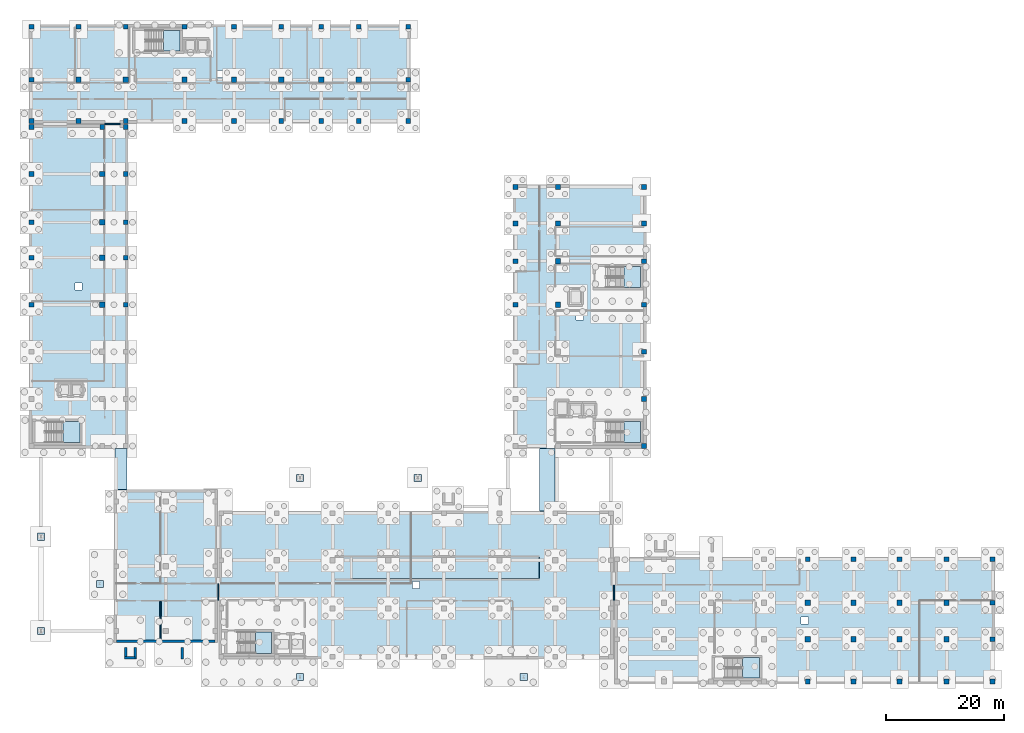
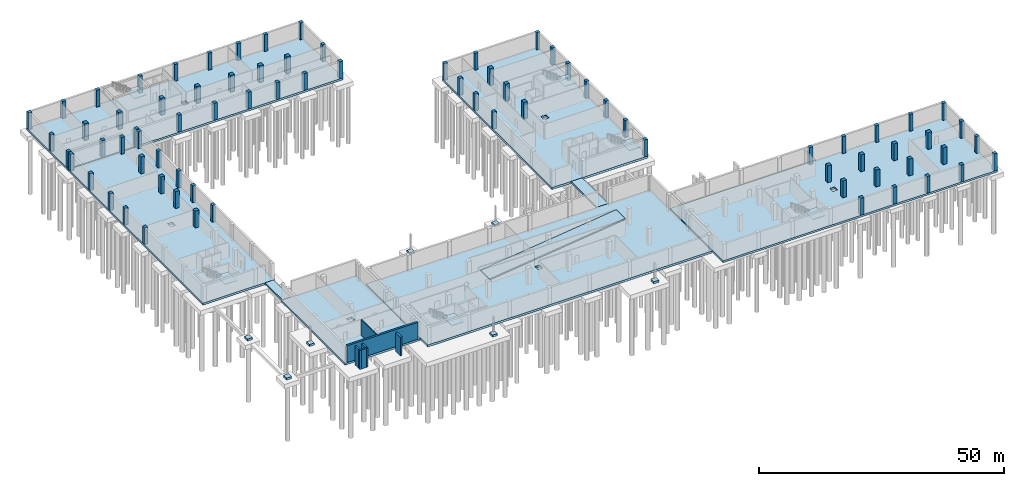
# One storey, part 14 of 31: 77 columns, 25 slabs, 6 walls, 6 elements without a shape of their own.
"""IFC4 building model written with IfcOpenShell, lengths in metres."""

from ifc_helpers import new_model, si_unit, direction, frame, frame_2d, origin, origin_2d, place, context, subcontext, project, spatial, polyline, rectangle, outline, extrude, material, layer, layer_set, material_profile, profile_set, type_object, element, aggregate, save


model = new_model("IFC4")

# Units and contexts
model_context = context("Model", 3, precision=1e-05, world=origin(), true_north=direction((0.0, 1.0)))
body_context = subcontext(model_context, "Body", "Model", "MODEL_VIEW")
ifc_project = project(units=[si_unit("LENGTHUNIT", "METRE"), si_unit("AREAUNIT", "SQUARE_METRE"), si_unit("VOLUMEUNIT", "CUBIC_METRE"), si_unit("PLANEANGLEUNIT", "RADIAN"), si_unit("MASSUNIT", "GRAM", prefix="KILO")], contexts=[model_context])

# Site, building, storey
site_placement = place(None, origin())
site = spatial("IfcSite", under=ifc_project, at=site_placement, CompositionType="ELEMENT")
building_placement = place(site_placement, origin())
building = spatial("IfcBuilding", under=site, at=building_placement, Name="Qalavern Law Courts", CompositionType="ELEMENT")
storey_placement = place(building_placement, frame((0.0, 0.0, -8.39990234375)))
storey = spatial("IfcBuildingStorey", under=building, at=storey_placement, Name="B2", CompositionType="ELEMENT", Elevation=-8.39990234375)

# Columns
ifc_material_1 = material(Name="Concrete C45/55", Category="concrete")
ifc_material_profile_1 = material_profile(ifc_material_1, rectangle(XDim=0.800048828125, YDim=0.800048828125, at=origin_2d()), Name="RC 800x800")
ifc_profile_set_1 = profile_set([ifc_material_profile_1], Name="Concrete C45/55")
column_type_1 = type_object("IfcColumnType", Name="STR-COL-RC800E", PredefinedType="COLUMN", material=ifc_profile_set_1)
for number, where, z_axis, x_axis, name in (
    (1, (2.39990234375, 65.39990234375, 0.0), (0.0, 0.0, 1.0), (1.0, 0.0, 0.0), "V3 column 1-4 B2"),
    (2, (2.39990234375, 73.39990234375, 0.0), (0.0, 0.0, 1.0), (1.0, 0.0, 0.0), "V3 column 1-5 B2"),
    (3, (2.39990234375, 79.39990234375, 0.0), (0.0, 0.0, 1.0), (1.0, 0.0, 0.0), "V3 column 1-6 B2"),
    (4, (2.39990234375, 87.60009765625, 0.0), (0.0, 0.0, 1.0), (1.0, 0.0, 0.0), "V3 column 1-7 B2"),
    (5, (2.39990234375, 95.580078125, 0.0), (0.0, 0.0, 1.0), (1.0, 0.0, 0.0), "V3 column 1-8 B2"),
    (6, (14.39990234375, 95.580078125, 0.0), (0.0, 0.0, 1.0), (1.0, 0.0, 0.0), "V3 column 2-8 B2"),
    (7, (18.39990234375, 65.39990234375, 0.0), (0.0, 0.0, 1.0), (1.0, 0.0, 0.0), "V3 column 3-4 B2"),
    (8, (18.39990234375, 73.39990234375, 0.0), (0.0, 0.0, 1.0), (1.0, 0.0, 0.0), "V3 column 3-5 B2"),
    (9, (18.39990234375, 79.39990234375, 0.0), (0.0, 0.0, 1.0), (1.0, 0.0, 0.0), "V3 column 3-6 B2"),
    (10, (18.39990234375, 87.60009765625, 0.0), (0.0, 0.0, 1.0), (1.0, 0.0, 0.0), "V3 column 3-7 B2"),
    (11, (18.39990234375, 95.580078125, 0.0), (0.0, 0.0, 1.0), (1.0, 0.0, 0.0), "V3 column 3-8 B2"),
    (12, (84.60009765625, 65.39990234375, 0.0), (0.0, 0.0, 1.0), (1.0, 0.0, 0.0), "V4 column 1-4 B2"),
    (13, (84.60009765625, 72.800048828125, 0.0), (0.0, 0.0, 1.0), (1.0, 0.0, 0.0), "V4 column 1-5 B2"),
    (14, (84.60009765625, 79.199951171875, 0.0), (0.0, 0.0, 1.0), (1.0, 0.0, 0.0), "V4 column 1-6 B2"),
    (15, (84.60009765625, 85.39990234375, 0.0), (0.0, 0.0, 1.0), (1.0, 0.0, 0.0), "V4 column 1-7 B2"),
    (16, (91.800048828125, 85.39990234375, 0.0), (0.0, 0.0, 1.0), (1.0, 0.0, 0.0), "V4 column 2-7 B2"),
    (17, (106.39990234375, 41.419921875, 0.0), (0.0, 0.0, 1.0), (1.0, 0.0, 0.0), "V4 column 3-1 B2"),
    (18, (106.39990234375, 49.39990234375, 0.0), (0.0, 0.0, 1.0), (1.0, 0.0, 0.0), "V4 column 3-2 B2"),
    (19, (106.39990234375, 57.39990234375, 0.0), (0.0, 0.0, 1.0), (1.0, 0.0, 0.0), "V4 column 3-3 B2"),
    (20, (106.39990234375, 65.39990234375, 0.0), (0.0, 0.0, 1.0), (1.0, 0.0, 0.0), "V4 column 3-4 B2"),
    (21, (106.39990234375, 72.800048828125, 0.0), (0.0, 0.0, 1.0), (1.0, 0.0, 0.0), "V4 column 3-5 B2"),
    (22, (106.39990234375, 79.199951171875, 0.0), (0.0, 0.0, 1.0), (1.0, 0.0, 0.0), "V4 column 3-6 B2"),
    (23, (106.39990234375, 85.39990234375, 0.0), (0.0, 0.0, 1.0), (1.0, 0.0, 0.0), "V4 column 3-7 B2"),
    (24, (2.39990234375, 96.60009765625, 0.0), (0.0, 0.0, 1.0), (1.0, 0.0, 0.0), "V5 column 1-1 B2"),
    (25, (2.39990234375, 103.60009765625, 0.0), (0.0, 0.0, 1.0), (1.0, 0.0, 0.0), "V5 column 1-2 B2"),
    (26, (2.39990234375, 112.60009765625, 0.0), (0.0, 0.0, 1.0), (1.0, 0.0, 0.0), "V5 column 1-3 B2"),
    (27, (10.39990234375, 96.60009765625, 0.0), (0.0, 0.0, 1.0), (1.0, 0.0, 0.0), "V5 column 2-1 B2"),
    (28, (10.39990234375, 112.60009765625, 0.0), (0.0, 0.0, 1.0), (1.0, 0.0, 0.0), "V5 column 2-3 B2"),
    (29, (18.39990234375, 96.60009765625, 0.0), (0.0, 0.0, 1.0), (1.0, 0.0, 0.0), "V5 column 3-1 B2"),
    (30, (18.39990234375, 112.60009765625, 0.0), (0.0, 0.0, 1.0), (1.0, 0.0, 0.0), "V5 column 3-3 B2"),
    (31, (28.39990234375, 96.60009765625, 0.0), (0.0, 0.0, 1.0), (1.0, 0.0, 0.0), "V5 column 4-1 B2"),
    (32, (28.39990234375, 112.60009765625, 0.0), (0.0, 0.0, 1.0), (1.0, 0.0, 0.0), "V5 column 4-3 B2"),
    (33, (36.800048828125, 96.60009765625, 0.0), (0.0, 0.0, 1.0), (1.0, 0.0, 0.0), "V5 column 5-1 B2"),
    (34, (36.800048828125, 112.60009765625, 0.0), (0.0, 0.0, 1.0), (1.0, 0.0, 0.0), "V5 column 5-3 B2"),
    (35, (44.800048828125, 96.60009765625, 0.0), (0.0, 0.0, 1.0), (1.0, 0.0, 0.0), "V5 column 6-1 B2"),
    (36, (44.800048828125, 112.60009765625, 0.0), (0.0, 0.0, 1.0), (1.0, 0.0, 0.0), "V5 column 6-3 B2"),
    (37, (51.60009765625, 96.60009765625, 0.0), (0.0, 0.0, 1.0), (1.0, 0.0, 0.0), "V5 column 7-1 B2"),
    (38, (51.60009765625, 112.60009765625, 0.0), (0.0, 0.0, 1.0), (1.0, 0.0, 0.0), "V5 column 7-3 B2"),
    (39, (58.0, 96.60009765625, 0.0), (0.0, 0.0, 1.0), (1.0, 0.0, 0.0), "V5 column 8-1 B2"),
    (40, (58.0, 112.60009765625, 0.0), (0.0, 0.0, 1.0), (1.0, 0.0, 0.0), "V5 column 8-3 B2"),
    (41, (66.39990234375, 96.60009765625, 0.0), (0.0, 0.0, 1.0), (1.0, 0.0, 0.0), "V5 column 9-1 B2"),
    (42, (66.39990234375, 103.60009765625, 0.0), (0.0, 0.0, 1.0), (1.0, 0.0, 0.0), "V5 column 9-2 B2"),
    (43, (66.39990234375, 112.60009765625, 0.0), (0.0, 0.0, 1.0), (1.0, 0.0, 0.0), "V5 column 9-3 B2"),
    (44, (134.199951171875, 1.39990234375, 0.0), (0.0, 0.0, 1.0), (1.0, 0.0, 0.0), "V6 column 5-1 B2"),
    (45, (134.199951171875, 22.199951171875, 0.0), (0.0, 0.0, 1.0), (1.0, 0.0, 0.0), "V6 column 5-4 B2"),
    (46, (142.0, 1.39990234375, 0.0), (0.0, 0.0, 1.0), (1.0, 0.0, 0.0), "V6 column 6-1 B2"),
    (47, (142.0, 22.199951171875, 0.0), (0.0, 0.0, 1.0), (1.0, 0.0, 0.0), "V6 column 6-4 B2"),
    (48, (149.800048828125, 1.39990234375, 0.0), (0.0, 0.0, 1.0), (1.0, 0.0, 0.0), "V6 column 7-1 B2"),
    (49, (149.800048828125, 22.199951171875, 0.0), (0.0, 0.0, 1.0), (1.0, 0.0, 0.0), "V6 column 7-4 B2"),
    (50, (157.800048828125, 1.39990234375, 0.0), (0.0, 0.0, 1.0), (1.0, 0.0, 0.0), "V6 column 8-1 B2"),
    (51, (157.800048828125, 22.199951171875, 0.0), (0.0, 0.0, 1.0), (1.0, 0.0, 0.0), "V6 column 8-4 B2"),
    (52, (165.60009765625, 1.39990234375, 0.0), (0.0, 0.0, 1.0), (1.0, 0.0, 0.0), "V6 column 9-1 B2"),
    (53, (165.60009765625, 8.60009765625, 0.0), (0.0, 0.0, 1.0), (1.0, 0.0, 0.0), "V6 column 9-2 B2"),
    (54, (165.60009765625, 14.800048828125, 0.0), (0.0, 0.0, 1.0), (1.0, 0.0, 0.0), "V6 column 9-3 B2"),
    (55, (165.60009765625, 22.199951171875, 0.0), (0.0, 0.0, 1.0), (1.0, 0.0, 0.0), "V6 column 9-4 B2"),
):
    element("IfcColumn", number, at=place(storey_placement, frame(where, z_axis=z_axis, x_axis=x_axis)), inside=storey, type_object=column_type_1, Name=name, PredefinedType="COLUMN", context=body_context, shape_type="SweptSolid", body=[
        extrude(rectangle(XDim=0.800048828125, YDim=0.800048828125, at=origin_2d()), origin(), (0.0, 0.0, 1.0), 4.199951171875),
    ])
ifc_material_profile_2 = material_profile(ifc_material_1, rectangle(XDim=0.89990234375, YDim=0.89990234375, at=origin_2d()), Name="RC 900x900")
ifc_profile_set_2 = profile_set([ifc_material_profile_2], Name="Concrete C45/55")
column_type_2 = type_object("IfcColumnType", Name="STR-COL-RC900", PredefinedType="COLUMN", material=ifc_profile_set_2)
for number, where, z_axis, x_axis, name in (
    (56, (14.39990234375, 65.39990234375, 0.0), (0.0, 0.0, 1.0), (1.0, 0.0, 0.0), "V3 column 2-4 B2"),
    (57, (14.39990234375, 73.39990234375, 0.0), (0.0, 0.0, 1.0), (1.0, 0.0, 0.0), "V3 column 2-5 B2"),
    (58, (14.39990234375, 79.39990234375, 0.0), (0.0, 0.0, 1.0), (1.0, 0.0, 0.0), "V3 column 2-6 B2"),
    (59, (14.39990234375, 87.60009765625, 0.0), (0.0, 0.0, 1.0), (1.0, 0.0, 0.0), "V3 column 2-7 B2"),
    (60, (91.800048828125, 65.39990234375, 0.0), (0.0, 0.0, 1.0), (1.0, 0.0, 0.0), "V4 column 2-4 B2"),
    (61, (91.800048828125, 72.800048828125, 0.0), (0.0, 0.0, 1.0), (1.0, 0.0, 0.0), "V4 column 2-5 B2"),
    (62, (91.800048828125, 79.199951171875, 0.0), (0.0, 0.0, 1.0), (1.0, 0.0, 0.0), "V4 column 2-6 B2"),
    (63, (10.39990234375, 103.60009765625, 0.0), (0.0, 0.0, 1.0), (1.0, 0.0, 0.0), "V5 column 2-2 B2"),
    (64, (18.39990234375, 103.60009765625, 0.0), (0.0, 0.0, 1.0), (1.0, 0.0, 0.0), "V5 column 3-2 B2"),
    (65, (28.39990234375, 103.60009765625, 0.0), (0.0, 0.0, 1.0), (1.0, 0.0, 0.0), "V5 column 4-2 B2"),
    (66, (36.800048828125, 103.60009765625, 0.0), (0.0, 0.0, 1.0), (1.0, 0.0, 0.0), "V5 column 5-2 B2"),
    (67, (44.800048828125, 103.60009765625, 0.0), (0.0, 0.0, 1.0), (1.0, 0.0, 0.0), "V5 column 6-2 B2"),
    (68, (51.60009765625, 103.60009765625, 0.0), (0.0, 0.0, 1.0), (1.0, 0.0, 0.0), "V5 column 7-2 B2"),
    (69, (58.0, 103.60009765625, 0.0), (0.0, 0.0, 1.0), (1.0, 0.0, 0.0), "V5 column 8-2 B2"),
    (70, (134.199951171875, 8.60009765625, 0.0), (0.0, 0.0, 1.0), (1.0, 0.0, 0.0), "V6 column 5-2 B2"),
    (71, (134.199951171875, 14.800048828125, 0.0), (0.0, 0.0, 1.0), (1.0, 0.0, 0.0), "V6 column 5-3 B2"),
    (72, (142.0, 8.60009765625, 0.0), (0.0, 0.0, 1.0), (1.0, 0.0, 0.0), "V6 column 6-2 B2"),
    (73, (142.0, 14.800048828125, 0.0), (0.0, 0.0, 1.0), (1.0, 0.0, 0.0), "V6 column 6-3 B2"),
    (74, (149.800048828125, 8.60009765625, 0.0), (0.0, 0.0, 1.0), (1.0, 0.0, 0.0), "V6 column 7-2 B2"),
    (75, (149.800048828125, 14.800048828125, 0.0), (0.0, 0.0, 1.0), (1.0, 0.0, 0.0), "V6 column 7-3 B2"),
    (76, (157.800048828125, 8.60009765625, 0.0), (0.0, 0.0, 1.0), (1.0, 0.0, 0.0), "V6 column 8-2 B2"),
    (77, (157.800048828125, 14.800048828125, 0.0), (0.0, 0.0, 1.0), (1.0, 0.0, 0.0), "V6 column 8-3 B2"),
):
    element("IfcColumn", number, at=place(storey_placement, frame(where, z_axis=z_axis, x_axis=x_axis)), inside=storey, type_object=column_type_2, Name=name, PredefinedType="COLUMN", context=body_context, shape_type="SweptSolid", body=[
        extrude(rectangle(XDim=0.89990234375, YDim=0.89990234375, at=origin_2d()), origin(), (0.0, 0.0, 1.0), 4.199951171875),
    ])

# Stair, slab
ifc_material_2 = material(Name="Concrete C35/45", Category="concrete")
stair_type_1 = type_object("IfcStairType", Name="INT-STAIR-1700", PredefinedType="HALF_TURN_STAIR", material=ifc_material_2)
stair_1_placement = place(storey_placement, origin())
stair_1 = element("IfcStair", 78, at=stair_1_placement, inside=storey, type_object=stair_type_1, Name="B2 ST-K1A", PredefinedType="HALF_TURN_STAIR")
ifc_layer_1 = layer(ifc_material_2, 0.199951171875)
ifc_layer_set_1 = layer_set([ifc_layer_1], Name="Concrete C35/45")
slab_type_1 = type_object("IfcSlabType", Name="INT-LANDING-200", PredefinedType="LANDING", material=ifc_layer_set_1)
slab_1_placement = place(storey_placement, frame((0.0, 0.0, 1.89990234375)))
slab_1 = element("IfcSlab", 79, at=slab_1_placement, type_object=slab_type_1, Name="ST-K1A landing 1", PredefinedType="LANDING", context=body_context, shape_type="SweptSolid", body=[
    extrude(outline(polyline([(102.97998046875, 42.0), (105.800048828125, 42.0), (105.800048828125, 45.550048828125), (102.97998046875, 45.550048828125), (102.97998046875, 42.0)])), origin(), (0.0, 0.0, 1.0), 0.199951171875),
])
aggregate(stair_1, [slab_1])

stair_2_placement = place(storey_placement, origin())
stair_2 = element("IfcStair", 80, at=stair_2_placement, inside=storey, type_object=stair_type_1, Name="B2 ST-K1B", PredefinedType="HALF_TURN_STAIR")
slab_2_placement = place(storey_placement, frame((0.0, 0.0, 1.89990234375)))
slab_2 = element("IfcSlab", 81, at=slab_2_placement, type_object=slab_type_1, Name="ST-K1B landing 1", PredefinedType="LANDING", context=body_context, shape_type="SweptSolid", body=[
    extrude(outline(polyline([(102.97998046875, 68.300048828125), (105.800048828125, 68.300048828125), (105.800048828125, 71.85009765625), (102.97998046875, 71.85009765625), (102.97998046875, 68.300048828125)])), origin(), (0.0, 0.0, 1.0), 0.199951171875),
])
aggregate(stair_2, [slab_2])

stair_3_placement = place(storey_placement, origin())
stair_3 = element("IfcStair", 82, at=stair_3_placement, inside=storey, type_object=stair_type_1, Name="B2 ST-K2", PredefinedType="HALF_TURN_STAIR")
slab_3_placement = place(storey_placement, frame((0.0, 0.0, 1.89990234375)))
slab_3 = element("IfcSlab", 83, at=slab_3_placement, type_object=slab_type_1, Name="ST-K2 landing 1", PredefinedType="LANDING", context=body_context, shape_type="SweptSolid", body=[
    extrude(outline(polyline([(7.780029296875, 42.0), (10.60009765625, 42.0), (10.60009765625, 45.550048828125), (7.780029296875, 45.550048828125), (7.780029296875, 42.0)])), origin(), (0.0, 0.0, 1.0), 0.199951171875),
])
aggregate(stair_3, [slab_3])

stair_4_placement = place(storey_placement, origin())
stair_4 = element("IfcStair", 84, at=stair_4_placement, inside=storey, type_object=stair_type_1, Name="B2 ST-K3", PredefinedType="HALF_TURN_STAIR")
slab_4_placement = place(storey_placement, frame((0.0, 0.0, 1.89990234375)))
slab_4 = element("IfcSlab", 85, at=slab_4_placement, type_object=slab_type_1, Name="ST-K3 landing 1", PredefinedType="LANDING", context=body_context, shape_type="SweptSolid", body=[
    extrude(outline(polyline([(24.780029296875, 108.449951171875), (27.60009765625, 108.449951171875), (27.60009765625, 112.0), (24.780029296875, 112.0), (24.780029296875, 108.449951171875)])), origin(), (0.0, 0.0, 1.0), 0.199951171875),
])
aggregate(stair_4, [slab_4])

stair_type_2 = type_object("IfcStairType", Name="INT-STAIR-1750", PredefinedType="HALF_TURN_STAIR", material=ifc_material_2)
stair_5_placement = place(storey_placement, origin())
stair_5 = element("IfcStair", 86, at=stair_5_placement, inside=storey, type_object=stair_type_2, Name="B2 ST-K4", PredefinedType="HALF_TURN_STAIR")
slab_5_placement = place(storey_placement, frame((0.0, 0.0, 1.89990234375)))
slab_5 = element("IfcSlab", 87, at=slab_5_placement, type_object=slab_type_1, Name="ST-K4 landing 1", PredefinedType="LANDING", context=body_context, shape_type="SweptSolid", body=[
    extrude(outline(polyline([(40.429931640625, 6.199951171875), (43.199951171875, 6.199951171875), (43.199951171875, 9.85009765625), (40.429931640625, 9.85009765625), (40.429931640625, 6.199951171875)])), origin(), (0.0, 0.0, 1.0), 0.199951171875),
])
aggregate(stair_5, [slab_5])

stair_type_3 = type_object("IfcStairType", Name="INT-STAIR-1650", PredefinedType="HALF_TURN_STAIR", material=ifc_material_2)
stair_6_placement = place(storey_placement, origin())
stair_6 = element("IfcStair", 88, at=stair_6_placement, inside=storey, type_object=stair_type_3, Name="B2 ST-K5", PredefinedType="HALF_TURN_STAIR")
slab_6_placement = place(storey_placement, frame((0.0, 0.0, 1.89990234375)))
slab_6 = element("IfcSlab", 89, at=slab_6_placement, type_object=slab_type_1, Name="ST-K5 landing 1", PredefinedType="LANDING", context=body_context, shape_type="SweptSolid", body=[
    extrude(outline(polyline([(123.1298828125, 2.0), (126.0, 2.0), (126.0, 5.449951171875), (123.1298828125, 5.449951171875), (123.1298828125, 2.0)])), origin(), (0.0, 0.0, 1.0), 0.199951171875),
])
aggregate(stair_6, [slab_6])

# Slabs
ifc_layer_2 = layer(ifc_material_2, 0.47998046875)
ifc_layer_set_2 = layer_set([ifc_layer_2], Name="Concrete C35/45")
slab_type_2 = type_object("IfcSlabType", Name="STR-SLB-BASE-V1", PredefinedType="BASESLAB", material=ifc_layer_set_2)
slab_7_placement = place(storey_placement, frame((0.0, 0.0, -0.5)))
element("IfcSlab", 90, at=slab_7_placement, inside=storey, type_object=slab_type_2, Name="Plaza apron pedestal base pad 01", PredefinedType="BASESLAB", context=body_context, shape_type="SweptSolid", body=[
    extrude(outline(polyline([(3.39990234375, 9.39990234375), (4.60009765625, 9.39990234375), (4.60009765625, 10.60009765625), (3.39990234375, 10.60009765625), (3.39990234375, 9.39990234375)])), origin(), (0.0, 0.0, 1.0), 0.5),
])
slab_8_placement = place(storey_placement, frame((0.0, 0.0, -0.5)))
element("IfcSlab", 91, at=slab_8_placement, inside=storey, type_object=slab_type_2, Name="Plaza apron pedestal base pad 02", PredefinedType="BASESLAB", context=body_context, shape_type="SweptSolid", body=[
    extrude(outline(polyline([(3.39990234375, 25.39990234375), (4.60009765625, 25.39990234375), (4.60009765625, 26.60009765625), (3.39990234375, 26.60009765625), (3.39990234375, 25.39990234375)])), origin(), (0.0, 0.0, 1.0), 0.5),
])
slab_9_placement = place(storey_placement, frame((0.0, 0.0, -0.5)))
element("IfcSlab", 92, at=slab_9_placement, inside=storey, type_object=slab_type_2, Name="Plaza apron pedestal base pad 03", PredefinedType="BASESLAB", context=body_context, shape_type="SweptSolid", body=[
    extrude(outline(polyline([(13.39990234375, 17.39990234375), (14.60009765625, 17.39990234375), (14.60009765625, 18.60009765625), (13.39990234375, 18.60009765625), (13.39990234375, 17.39990234375)])), origin(), (0.0, 0.0, 1.0), 0.5),
])
slab_10_placement = place(storey_placement, frame((0.0, 0.0, -0.5)))
element("IfcSlab", 93, at=slab_10_placement, inside=storey, type_object=slab_type_2, Name="Plaza apron pedestal base pad 04", PredefinedType="BASESLAB", context=body_context, shape_type="SweptSolid", body=[
    extrude(outline(polyline([(47.39990234375, 1.60009765625), (48.60009765625, 1.60009765625), (48.60009765625, 2.800048828125), (47.39990234375, 2.800048828125), (47.39990234375, 1.60009765625)])), origin(), (0.0, 0.0, 1.0), 0.5),
])
slab_11_placement = place(storey_placement, frame((0.0, 0.0, -0.5)))
element("IfcSlab", 94, at=slab_11_placement, inside=storey, type_object=slab_type_2, Name="Plaza apron pedestal base pad 05", PredefinedType="BASESLAB", context=body_context, shape_type="SweptSolid", body=[
    extrude(outline(polyline([(85.39990234375, 1.60009765625), (86.60009765625, 1.60009765625), (86.60009765625, 2.800048828125), (85.39990234375, 2.800048828125), (85.39990234375, 1.60009765625)])), origin(), (0.0, 0.0, 1.0), 0.5),
])
slab_12_placement = place(storey_placement, frame((0.0, 0.0, -0.5)))
element("IfcSlab", 95, at=slab_12_placement, inside=storey, type_object=slab_type_2, Name="Plaza apron pedestal base pad 06", PredefinedType="BASESLAB", context=body_context, shape_type="SweptSolid", body=[
    extrude(outline(polyline([(47.39990234375, 35.39990234375), (48.60009765625, 35.39990234375), (48.60009765625, 36.60009765625), (47.39990234375, 36.60009765625), (47.39990234375, 35.39990234375)])), origin(), (0.0, 0.0, 1.0), 0.5),
])
slab_13_placement = place(storey_placement, frame((0.0, 0.0, -0.5)))
element("IfcSlab", 96, at=slab_13_placement, inside=storey, type_object=slab_type_2, Name="Plaza apron pedestal base pad 07", PredefinedType="BASESLAB", context=body_context, shape_type="SweptSolid", body=[
    extrude(outline(polyline([(67.39990234375, 35.39990234375), (68.60009765625, 35.39990234375), (68.60009765625, 36.60009765625), (67.39990234375, 36.60009765625), (67.39990234375, 35.39990234375)])), origin(), (0.0, 0.0, 1.0), 0.5),
])
slab_14_placement = place(storey_placement, frame((0.0, 0.0, -0.47998046875)))
element("IfcSlab", 97, at=slab_14_placement, inside=storey, type_object=slab_type_2, Name="V1 foundation base slab B2", PredefinedType="BASESLAB", context=body_context, shape_type="SweptSolid", body=[
    extrude(outline(polyline([(16.39990234375, 8.0), (34.0, 8.0), (34.0, 34.0), (16.39990234375, 34.0), (16.39990234375, 8.0)]), holes=[polyline([(24.60009765625, 20.39990234375), (25.800048828125, 20.39990234375), (25.800048828125, 21.60009765625), (24.60009765625, 21.60009765625), (24.60009765625, 20.39990234375)])]), origin(), (0.0, 0.0, 1.0), 0.47998046875),
])
slab_15_placement = place(storey_placement, frame((0.0, 0.0, -0.47998046875)))
element("IfcSlab", 98, at=slab_15_placement, inside=storey, type_object=slab_type_2, Name="Bridge BR-V1-V2 deck slab B2", PredefinedType="BASESLAB", context=body_context, shape_type="SweptSolid", body=[
    extrude(outline(polyline([(34.0, 15.199951171875), (34.219970703125, 15.199951171875), (34.219970703125, 18.0), (34.0, 18.0), (34.0, 15.199951171875)])), origin(), (0.0, 0.0, 1.0), 0.47998046875),
])
slab_16_placement = place(storey_placement, frame((0.0, 0.0, -0.47998046875)))
element("IfcSlab", 99, at=slab_16_placement, inside=storey, type_object=slab_type_2, Name="Bridge BR-V1-V3 deck slab B2", PredefinedType="BASESLAB", context=body_context, shape_type="SweptSolid", body=[
    extrude(outline(polyline([(16.60009765625, 34.0), (18.60009765625, 34.0), (18.60009765625, 41.02001953125), (16.60009765625, 41.02001953125), (16.60009765625, 34.0)])), origin(), (0.0, 0.0, 1.0), 0.47998046875),
])
ifc_layer_3 = layer(ifc_material_2, 0.52001953125)
ifc_layer_set_3 = layer_set([ifc_layer_3], Name="Concrete C35/45")
slab_type_3 = type_object("IfcSlabType", Name="STR-SLB-BASE-V2", PredefinedType="BASESLAB", material=ifc_layer_set_3)
slab_17_placement = place(storey_placement, frame((0.0, 0.0, -0.52001953125)))
element("IfcSlab", 100, at=slab_17_placement, inside=storey, type_object=slab_type_3, Name="V2 foundation base slab B2", PredefinedType="BASESLAB", context=body_context, shape_type="SweptSolid", body=[
    extrude(outline(polyline([(34.219970703125, 5.199951171875), (101.199951171875, 5.199951171875), (101.199951171875, 30.39990234375), (34.219970703125, 30.39990234375), (34.219970703125, 5.199951171875)]), holes=[polyline([(67.110107421875, 17.199951171875), (68.31005859375, 17.199951171875), (68.31005859375, 18.39990234375), (67.110107421875, 18.39990234375), (67.110107421875, 17.199951171875)])]), origin(), (0.0, 0.0, 1.0), 0.52001953125),
])
slab_18_placement = place(storey_placement, frame((0.0, 0.0, -0.52001953125)))
element("IfcSlab", 101, at=slab_18_placement, inside=storey, type_object=slab_type_3, Name="Bridge BR-V2-V6 deck slab B2", PredefinedType="BASESLAB", context=body_context, shape_type="SweptSolid", body=[
    extrude(outline(polyline([(101.199951171875, 15.199951171875), (101.419921875, 15.199951171875), (101.419921875, 17.800048828125), (101.199951171875, 17.800048828125), (101.199951171875, 15.199951171875)])), origin(), (0.0, 0.0, 1.0), 0.52001953125),
])
slab_19_placement = place(storey_placement, frame((0.0, 0.0, -0.52001953125)))
element("IfcSlab", 102, at=slab_19_placement, inside=storey, type_object=slab_type_3, Name="Bridge BR-V2-V4 deck slab B2", PredefinedType="BASESLAB", context=body_context, shape_type="SweptSolid", body=[
    extrude(outline(polyline([(88.699951171875, 30.39990234375), (91.300048828125, 30.39990234375), (91.300048828125, 41.02001953125), (88.699951171875, 41.02001953125), (88.699951171875, 30.39990234375)])), origin(), (0.0, 0.0, 1.0), 0.52001953125),
])
ifc_layer_4 = layer(ifc_material_2, 0.5)
ifc_layer_set_4 = layer_set([ifc_layer_4], Name="Concrete C35/45")
slab_type_4 = type_object("IfcSlabType", Name="STR-SLB-BASE-V3", PredefinedType="BASESLAB", material=ifc_layer_set_4)
slab_20_placement = place(storey_placement, frame((0.0, 0.0, -0.5)))
element("IfcSlab", 103, at=slab_20_placement, inside=storey, type_object=slab_type_4, Name="V3 foundation base slab B2", PredefinedType="BASESLAB", context=body_context, shape_type="SweptSolid", body=[
    extrude(outline(polyline([(2.0, 41.02001953125), (18.800048828125, 41.02001953125), (18.800048828125, 95.97998046875), (2.0, 95.97998046875), (2.0, 41.02001953125)]), holes=[polyline([(9.800048828125, 67.89990234375), (11.0, 67.89990234375), (11.0, 69.10009765625), (9.800048828125, 69.10009765625), (9.800048828125, 67.89990234375)])]), origin(), (0.0, 0.0, 1.0), 0.5),
])
slab_21_placement = place(storey_placement, frame((0.0, 0.0, -0.5)))
element("IfcSlab", 104, at=slab_21_placement, inside=storey, type_object=slab_type_4, Name="Bridge BR-V3-V5 deck slab B2", PredefinedType="BASESLAB", context=body_context, shape_type="SweptSolid", body=[
    extrude(outline(polyline([(14.85009765625, 95.97998046875), (17.449951171875, 95.97998046875), (17.449951171875, 96.199951171875), (14.85009765625, 96.199951171875), (14.85009765625, 95.97998046875)])), origin(), (0.0, 0.0, 1.0), 0.5),
])
ifc_layer_5 = layer(ifc_material_2, 0.5400390625)
ifc_layer_set_5 = layer_set([ifc_layer_5], Name="Concrete C35/45")
slab_type_5 = type_object("IfcSlabType", Name="STR-SLB-BASE-V4", PredefinedType="BASESLAB", material=ifc_layer_set_5)
slab_22_placement = place(storey_placement, frame((0.0, 0.0, -0.5400390625)))
element("IfcSlab", 105, at=slab_22_placement, inside=storey, type_object=slab_type_5, Name="V4 foundation base slab B2", PredefinedType="BASESLAB", context=body_context, shape_type="SweptSolid", body=[
    extrude(outline(polyline([(84.199951171875, 41.02001953125), (106.800048828125, 41.02001953125), (106.800048828125, 85.800048828125), (84.199951171875, 85.800048828125), (84.199951171875, 41.02001953125)]), holes=[polyline([(94.89990234375, 62.81005859375), (96.10009765625, 62.81005859375), (96.10009765625, 64.010009765625), (94.89990234375, 64.010009765625), (94.89990234375, 62.81005859375)])]), origin(), (0.0, 0.0, 1.0), 0.5400390625),
])
ifc_layer_6 = layer(ifc_material_2, 0.489990234375)
ifc_layer_set_6 = layer_set([ifc_layer_6], Name="Concrete C35/45")
slab_type_6 = type_object("IfcSlabType", Name="STR-SLB-BASE-V5", PredefinedType="BASESLAB", material=ifc_layer_set_6)
slab_23_placement = place(storey_placement, frame((0.0, 0.0, -0.489990234375)))
element("IfcSlab", 106, at=slab_23_placement, inside=storey, type_object=slab_type_6, Name="V5 foundation base slab B2", PredefinedType="BASESLAB", context=body_context, shape_type="SweptSolid", body=[
    extrude(outline(polyline([(2.0, 96.199951171875), (66.800048828125, 96.199951171875), (66.800048828125, 113.0), (2.0, 113.0), (2.0, 96.199951171875)]), holes=[polyline([(33.800048828125, 104.0), (35.0, 104.0), (35.0, 105.199951171875), (33.800048828125, 105.199951171875), (33.800048828125, 104.0)])]), origin(), (0.0, 0.0, 1.0), 0.489990234375),
])
ifc_layer_7 = layer(ifc_material_2, 0.4599609375)
ifc_layer_set_7 = layer_set([ifc_layer_7], Name="Concrete C35/45")
slab_type_7 = type_object("IfcSlabType", Name="STR-SLB-BASE-V6", PredefinedType="BASESLAB", material=ifc_layer_set_7)
slab_24_placement = place(storey_placement, frame((0.0, 0.0, -0.460205078125)))
element("IfcSlab", 107, at=slab_24_placement, inside=storey, type_object=slab_type_7, Name="V6 foundation base slab B2", PredefinedType="BASESLAB", context=body_context, shape_type="SweptSolid", body=[
    extrude(outline(polyline([(101.419921875, 1.0), (166.0, 1.0), (166.0, 22.60009765625), (101.419921875, 22.60009765625), (101.419921875, 1.0)]), holes=[polyline([(133.110107421875, 11.199951171875), (134.31005859375, 11.199951171875), (134.31005859375, 12.39990234375), (133.110107421875, 12.39990234375), (133.110107421875, 11.199951171875)])]), origin(), (0.0, 0.0, 1.0), 0.460205078125),
])
ifc_layer_8 = layer(ifc_material_2, 0.300048828125)
ifc_layer_set_8 = layer_set([ifc_layer_8], Name="Concrete C35/45")
slab_type_8 = type_object("IfcSlabType", Name="STR-SLB-VRMP300", PredefinedType="FLOOR", material=ifc_layer_set_8)
slab_25_placement = place(storey_placement, frame((56.699951171875, 18.8798828125, 0.31982421875), z_axis=(-0.120668986761, 0.0, 0.992692800233), x_axis=(0.992692800233, 0.0, 0.120668986761)))
element("IfcSlab", 108, at=slab_25_placement, inside=storey, type_object=slab_type_8, Name="Car Park Vehicle Ramp VG-01 Lower structural slab (R-VG1B)", PredefinedType="FLOOR", context=body_context, shape_type="SweptSolid", body=[
    extrude(outline(polyline([(0.0, 0.0), (32.155129973884854, 0.0), (32.155129973884854, 3.64013671875), (0.0, 3.64013671875), (0.0, 0.0)])), origin(), (0.0, 0.0, -1.0), 0.300048828125),
])

# Walls
ifc_layer_9 = layer(ifc_material_2, 0.4599609375)
ifc_layer_set_9 = layer_set([ifc_layer_9], Name="Concrete C35/45")
wall_type_1 = type_object("IfcWallType", Name="ENV-EW-RET460", PredefinedType="SOLIDWALL", material=ifc_layer_set_9)
wall_1_placement = place(storey_placement, frame((16.85498046875, 8.22998046875, 0.0), z_axis=(0.0, 0.0, 1.0), x_axis=(1.0, 0.0, 0.0)))
element("IfcWall", 109, at=wall_1_placement, inside=storey, type_object=wall_type_1, Name="V1 basement retaining wall B2 south", PredefinedType="SOLIDWALL", context=body_context, shape_type="SweptSolid", body=[
    extrude(rectangle(XDim=16.68994140625, YDim=0.4599609375, at=frame_2d((8.344970703125, 0.0))), origin(), (0.0, 0.0, 1.0), 4.199951171875),
])
ifc_material_3 = material(Name="Gypsum acoustic stud partition")
ifc_layer_10 = layer(ifc_material_3, 0.18603515625)
ifc_layer_set_10 = layer_set([ifc_layer_10], Name="Gypsum acoustic stud partition")
wall_type_2 = type_object("IfcWallType", Name="INT-PW-186", PredefinedType="PARTITIONING", material=ifc_layer_set_10)
wall_2_placement = place(storey_placement, frame((24.31494140625, 8.43994140625, 0.0), z_axis=(0.0, 0.0, 1.0), x_axis=(0.0, 1.0, 0.0)))
element("IfcWall", 110, at=wall_2_placement, inside=storey, type_object=wall_type_2, Name="Electrical Substation cross partition B2 east", PredefinedType="PARTITIONING", context=body_context, shape_type="SweptSolid", body=[
    extrude(rectangle(XDim=6.587158203125, YDim=0.18603515625, at=frame_2d((3.29345703125, 0.0))), origin(), (0.0, 0.0, 1.0), 3.8798828125),
])
ifc_layer_11 = layer(ifc_material_2, 0.449951171875)
ifc_layer_set_11 = layer_set([ifc_layer_11], Name="Concrete C35/45")
wall_type_3 = type_object("IfcWallType", Name="STR-ABUT-450", PredefinedType="SOLIDWALL", material=ifc_layer_set_11)
for number, where, z_axis, x_axis, name in (
    (111, (18.425048828125, 5.199951171875, -0.5), (0.0, 0.0, 1.0), (0.0, 1.0, 0.0), "Pedestrian ramp 1 foundation abutment wall 1 B2"),
    (112, (20.0, 5.199951171875, -0.5), (0.0, 0.0, 1.0), (0.0, 1.0, 0.0), "Pedestrian ramp 1 foundation abutment wall 2 B2"),
    (113, (28.0, 5.199951171875, -0.5), (0.0, 0.0, 1.0), (0.0, 1.0, 0.0), "Pedestrian ramp 1 foundation abutment wall 3 B2"),
):
    element("IfcWall", number, at=place(storey_placement, frame(where, z_axis=z_axis, x_axis=x_axis)), inside=storey, type_object=wall_type_3, Name=name, PredefinedType="SOLIDWALL", context=body_context, shape_type="SweptSolid", body=[
        extrude(rectangle(XDim=2.0, YDim=0.449951171875, at=frame_2d((1.0, 0.0))), origin(), (0.0, 0.0, 1.0), 4.699951171875),
    ])
wall_3_placement = place(storey_placement, frame((18.199951171875, 5.425048828125, -0.5), z_axis=(0.0, 0.0, 1.0), x_axis=(1.0, 0.0, 0.0)))
element("IfcWall", 114, at=wall_3_placement, inside=storey, type_object=wall_type_3, Name="Pedestrian ramp 1 landing side wall B2", PredefinedType="SOLIDWALL", context=body_context, shape_type="SweptSolid", body=[
    extrude(rectangle(XDim=1.800048828125, YDim=0.449951171875, at=frame_2d((0.89990234375, 0.0))), origin(), (0.0, 0.0, 1.0), 4.699951171875),
])

save(model, "model.ifc")
